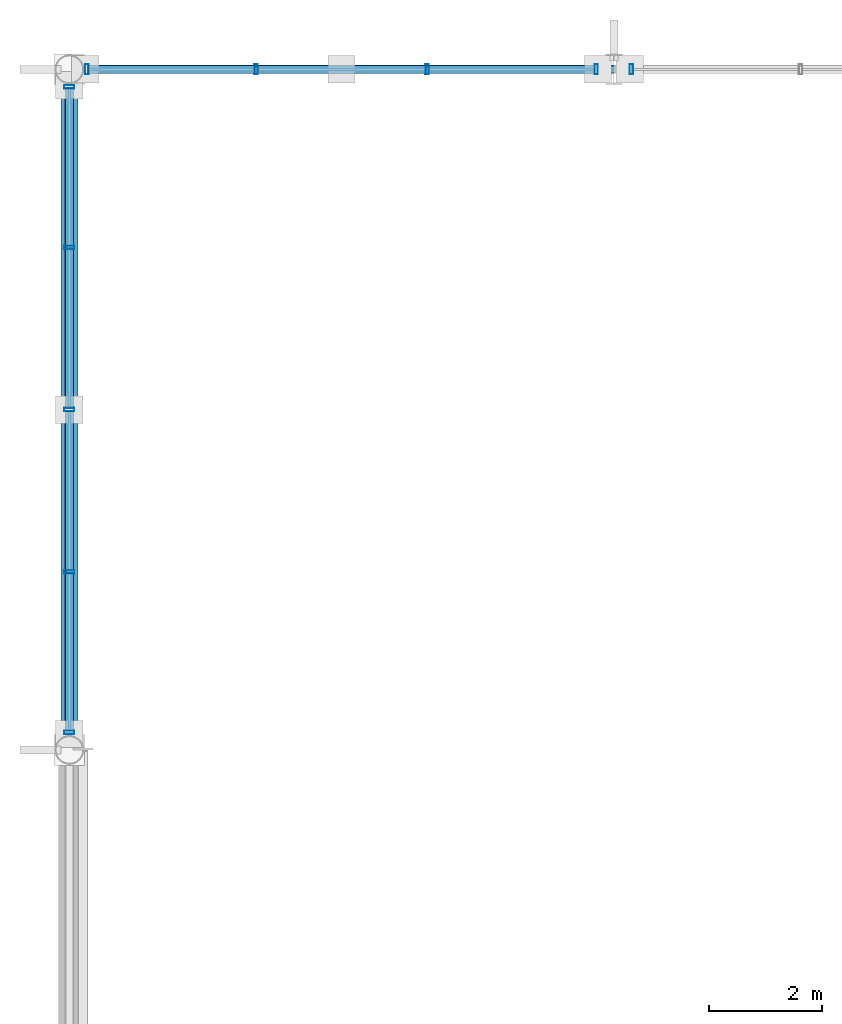
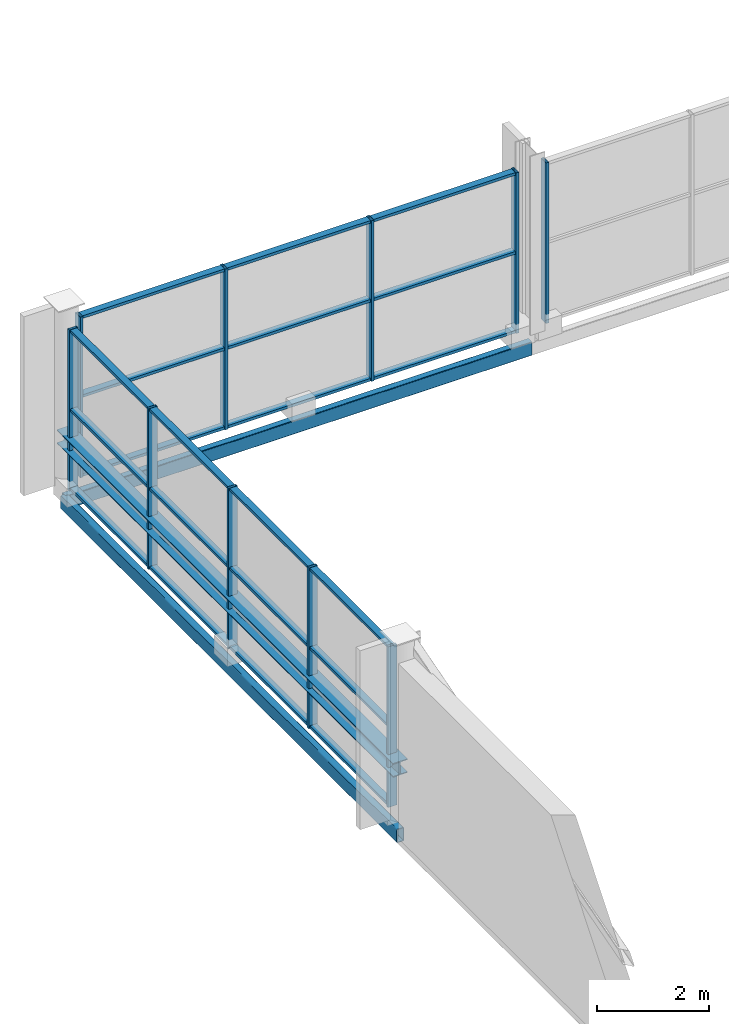
# One storey, part 56 of 117: 31 members, 3 beams, 3 elements without a shape of their own.
"""IFC4 building model written with IfcOpenShell, lengths in metres."""

from ifc_helpers import new_model, si_unit, direction, frame, origin, origin_2d, place, context, subcontext, project, spatial, hollow_rectangle, i_section, extrude, material, material_profile, profile_set, type_object, element, aggregate, save


model = new_model("IFC4")

# Units and contexts
model_context = context("Model", 3, precision=1e-05, world=origin(), true_north=direction((0.0, 1.0)))
body_context = subcontext(model_context, "Body", "Model", "MODEL_VIEW")
ifc_project = project(units=[si_unit("LENGTHUNIT", "METRE"), si_unit("AREAUNIT", "SQUARE_METRE"), si_unit("VOLUMEUNIT", "CUBIC_METRE"), si_unit("PLANEANGLEUNIT", "RADIAN"), si_unit("MASSUNIT", "GRAM", prefix="KILO")], contexts=[model_context])

# Site, building, storey
site_placement = place(None, origin())
site = spatial("IfcSite", under=ifc_project, at=site_placement, CompositionType="ELEMENT")
building_placement = place(site_placement, origin())
building = spatial("IfcBuilding", under=site, at=building_placement, Name="Merenkruunu Market Hall", CompositionType="ELEMENT")
storey_placement = place(building_placement, frame((0.0, 0.0, 10.199951171875)))
storey = spatial("IfcBuildingStorey", under=building, at=storey_placement, Name="L02", CompositionType="ELEMENT", Elevation=10.199951171875)

# Curtain wall, members
ifc_material_1 = material(Name="Powder-coated aluminium", Category="aluminium")
curtain_wall_type_1 = type_object("IfcCurtainWallType", Name="Glazed Curtain Wall CW13", PredefinedType="USERDEFINED", material=ifc_material_1)
curtain_wall_1_placement = place(storey_placement, origin())
curtain_wall_1 = element("IfcCurtainWall", 1, at=curtain_wall_1_placement, inside=storey, type_object=curtain_wall_type_1, Name="CW-L02-CWM02-018", ObjectType="GLAZED_FACADE", PredefinedType="USERDEFINED")
ifc_material_profile_1 = material_profile(ifc_material_1, hollow_rectangle(XDim=0.06005859375, YDim=0.179931640625, WallThickness=0.00390625, at=origin_2d()), Name="ALU 60x180x4")
ifc_profile_set_1 = profile_set([ifc_material_profile_1], Name="Powder-coated aluminium")
member_type_1 = type_object("IfcMemberType", Name="Curtain Wall Mullion CWM02", PredefinedType="MULLION", material=ifc_profile_set_1)
member_1_placement = place(storey_placement, frame((0.0, 99.909912109375, 0.0), z_axis=(0.0, 0.0, 1.0), x_axis=(0.0, 1.0, 0.0)))
member_1 = element("IfcMember", 2, at=member_1_placement, type_object=member_type_1, Name="CW13 mullion 1", PredefinedType="MULLION", context=body_context, shape_type="SweptSolid", body=[
    extrude(hollow_rectangle(XDim=0.06005859375, YDim=0.179931640625, WallThickness=0.00390625, at=origin_2d()), origin(), (0.0, 0.0, 1.0), 3.5),
])
member_2_placement = place(storey_placement, frame((0.0, 102.739990234375, 0.0), z_axis=(0.0, 0.0, 1.0), x_axis=(0.0, 1.0, 0.0)))
member_2 = element("IfcMember", 3, at=member_2_placement, type_object=member_type_1, Name="CW13 mullion 2", PredefinedType="MULLION", context=body_context, shape_type="SweptSolid", body=[
    extrude(hollow_rectangle(XDim=0.06005859375, YDim=0.179931640625, WallThickness=0.00390625, at=origin_2d()), origin(), (0.0, 0.0, 1.0), 3.5),
])
member_3_placement = place(storey_placement, frame((0.0, 105.60009765625, 0.0), z_axis=(0.0, 0.0, 1.0), x_axis=(0.0, 1.0, 0.0)))
member_3 = element("IfcMember", 4, at=member_3_placement, type_object=member_type_1, Name="CW13 mullion 3", PredefinedType="MULLION", context=body_context, shape_type="SweptSolid", body=[
    extrude(hollow_rectangle(XDim=0.06005859375, YDim=0.179931640625, WallThickness=0.00390625, at=origin_2d()), origin(), (0.0, 0.0, 1.0), 3.5),
])
member_4_placement = place(storey_placement, frame((0.0, 108.4599609375, 0.0), z_axis=(0.0, 0.0, 1.0), x_axis=(0.0, 1.0, 0.0)))
member_4 = element("IfcMember", 5, at=member_4_placement, type_object=member_type_1, Name="CW13 mullion 4", PredefinedType="MULLION", context=body_context, shape_type="SweptSolid", body=[
    extrude(hollow_rectangle(XDim=0.06005859375, YDim=0.179931640625, WallThickness=0.00390625, at=origin_2d()), origin(), (0.0, 0.0, 1.0), 3.5),
])
member_5_placement = place(storey_placement, frame((0.0, 111.2900390625, 0.0), z_axis=(0.0, 0.0, 1.0), x_axis=(0.0, 1.0, 0.0)))
member_5 = element("IfcMember", 6, at=member_5_placement, type_object=member_type_1, Name="CW13 mullion 5", PredefinedType="MULLION", context=body_context, shape_type="SweptSolid", body=[
    extrude(hollow_rectangle(XDim=0.06005859375, YDim=0.179931640625, WallThickness=0.00390625, at=origin_2d()), origin(), (0.0, 0.0, 1.0), 3.5),
])

curtain_wall_type_2 = type_object("IfcCurtainWallType", Name="Glazed Curtain Wall CW10", PredefinedType="USERDEFINED", material=ifc_material_1)
curtain_wall_2_placement = place(storey_placement, origin())
curtain_wall_2 = element("IfcCurtainWall", 7, at=curtain_wall_2_placement, inside=storey, type_object=curtain_wall_type_2, Name="CW-L02-CWM02-053", ObjectType="GLAZED_FACADE", PredefinedType="USERDEFINED")
member_6_placement = place(storey_placement, frame((0.31005859375, 111.60009765625, 0.0), z_axis=(0.0, 0.0, 1.0), x_axis=(1.0, 0.0, 0.0)))
member_6 = element("IfcMember", 8, at=member_6_placement, type_object=member_type_1, Name="CW10 mullion 1", PredefinedType="MULLION", context=body_context, shape_type="SweptSolid", body=[
    extrude(hollow_rectangle(XDim=0.06005859375, YDim=0.179931640625, WallThickness=0.00390625, at=origin_2d()), origin(), (0.0, 0.0, 1.0), 3.5),
])
member_7_placement = place(storey_placement, frame((3.293212890625, 111.60009765625, 0.0), z_axis=(0.0, 0.0, 1.0), x_axis=(1.0, 0.0, 0.0)))
member_7 = element("IfcMember", 9, at=member_7_placement, type_object=member_type_1, Name="CW10 mullion 2", PredefinedType="MULLION", context=body_context, shape_type="SweptSolid", body=[
    extrude(hollow_rectangle(XDim=0.06005859375, YDim=0.179931640625, WallThickness=0.00390625, at=origin_2d()), origin(), (0.0, 0.0, 1.0), 3.5),
])
member_8_placement = place(storey_placement, frame((6.306640625, 111.60009765625, 0.0), z_axis=(0.0, 0.0, 1.0), x_axis=(1.0, 0.0, 0.0)))
member_8 = element("IfcMember", 10, at=member_8_placement, type_object=member_type_1, Name="CW10 mullion 3", PredefinedType="MULLION", context=body_context, shape_type="SweptSolid", body=[
    extrude(hollow_rectangle(XDim=0.06005859375, YDim=0.179931640625, WallThickness=0.00390625, at=origin_2d()), origin(), (0.0, 0.0, 1.0), 3.5),
])
member_9_placement = place(storey_placement, frame((9.2900390625, 111.60009765625, 0.0), z_axis=(0.0, 0.0, 1.0), x_axis=(1.0, 0.0, 0.0)))
member_9 = element("IfcMember", 11, at=member_9_placement, type_object=member_type_1, Name="CW10 mullion 4", PredefinedType="MULLION", context=body_context, shape_type="SweptSolid", body=[
    extrude(hollow_rectangle(XDim=0.06005859375, YDim=0.179931640625, WallThickness=0.00390625, at=origin_2d()), origin(), (0.0, 0.0, 1.0), 3.5),
])

# Curtain wall, member
curtain_wall_3_placement = place(storey_placement, origin())
curtain_wall_3 = element("IfcCurtainWall", 12, at=curtain_wall_3_placement, inside=storey, type_object=curtain_wall_type_2, Name="CW-L02-CWM02-055", ObjectType="GLAZED_FACADE", PredefinedType="USERDEFINED")
member_10_placement = place(storey_placement, frame((9.909912109375, 111.60009765625, 0.0), z_axis=(0.0, 0.0, 1.0), x_axis=(1.0, 0.0, 0.0)))
member_10 = element("IfcMember", 13, at=member_10_placement, type_object=member_type_1, Name="CW10 mullion 1", PredefinedType="MULLION", context=body_context, shape_type="SweptSolid", body=[
    extrude(hollow_rectangle(XDim=0.06005859375, YDim=0.179931640625, WallThickness=0.00390625, at=origin_2d()), origin(), (0.0, 0.0, 1.0), 3.5),
])
aggregate(curtain_wall_3, [member_10])

# Member
ifc_material_profile_2 = material_profile(ifc_material_1, hollow_rectangle(XDim=0.06005859375, YDim=0.139892578125, WallThickness=0.00390625, at=origin_2d()), Name="ALU 60x140x4")
ifc_profile_set_2 = profile_set([ifc_material_profile_2], Name="Powder-coated aluminium")
member_type_2 = type_object("IfcMemberType", Name="Curtain Wall Transom CWT02", PredefinedType="USERDEFINED", material=ifc_profile_set_2)
member_11_placement = place(storey_placement, frame((0.0, 99.93994140625, 0.030029296875), z_axis=(0.0, 1.0, 0.0), x_axis=(0.0, 0.0, 1.0)))
member_11 = element("IfcMember", 14, at=member_11_placement, type_object=member_type_2, Name="CW13 transom 1.1", ObjectType="TRANSOM", PredefinedType="USERDEFINED", context=body_context, shape_type="SweptSolid", body=[
    extrude(hollow_rectangle(XDim=0.06005859375, YDim=0.139892578125, WallThickness=0.00390625, at=origin_2d()), origin(), (0.0, 0.0, 1.0), 2.77001953125),
])

member_12_placement = place(storey_placement, frame((0.0, 99.93994140625, 1.75), z_axis=(0.0, 1.0, 0.0), x_axis=(0.0, 0.0, 1.0)))
member_12 = element("IfcMember", 15, at=member_12_placement, type_object=member_type_2, Name="CW13 transom 1.2", ObjectType="TRANSOM", PredefinedType="USERDEFINED", context=body_context, shape_type="SweptSolid", body=[
    extrude(hollow_rectangle(XDim=0.06005859375, YDim=0.139892578125, WallThickness=0.00390625, at=origin_2d()), origin(), (0.0, 0.0, 1.0), 2.77001953125),
])

member_13_placement = place(storey_placement, frame((0.0, 99.93994140625, 3.469970703125), z_axis=(0.0, 1.0, 0.0), x_axis=(0.0, 0.0, 1.0)))
member_13 = element("IfcMember", 16, at=member_13_placement, type_object=member_type_2, Name="CW13 transom 1.3", ObjectType="TRANSOM", PredefinedType="USERDEFINED", context=body_context, shape_type="SweptSolid", body=[
    extrude(hollow_rectangle(XDim=0.06005859375, YDim=0.139892578125, WallThickness=0.00390625, at=origin_2d()), origin(), (0.0, 0.0, 1.0), 2.77001953125),
])

member_14_placement = place(storey_placement, frame((0.0, 102.77001953125, 0.030029296875), z_axis=(0.0, 1.0, 0.0), x_axis=(0.0, 0.0, 1.0)))
member_14 = element("IfcMember", 17, at=member_14_placement, type_object=member_type_2, Name="CW13 transom 2.1", ObjectType="TRANSOM", PredefinedType="USERDEFINED", context=body_context, shape_type="SweptSolid", body=[
    extrude(hollow_rectangle(XDim=0.06005859375, YDim=0.139892578125, WallThickness=0.00390625, at=origin_2d()), origin(), (0.0, 0.0, 1.0), 2.800048828125),
])

member_15_placement = place(storey_placement, frame((0.0, 102.77001953125, 1.75), z_axis=(0.0, 1.0, 0.0), x_axis=(0.0, 0.0, 1.0)))
member_15 = element("IfcMember", 18, at=member_15_placement, type_object=member_type_2, Name="CW13 transom 2.2", ObjectType="TRANSOM", PredefinedType="USERDEFINED", context=body_context, shape_type="SweptSolid", body=[
    extrude(hollow_rectangle(XDim=0.06005859375, YDim=0.139892578125, WallThickness=0.00390625, at=origin_2d()), origin(), (0.0, 0.0, 1.0), 2.800048828125),
])

member_16_placement = place(storey_placement, frame((0.0, 102.77001953125, 3.469970703125), z_axis=(0.0, 1.0, 0.0), x_axis=(0.0, 0.0, 1.0)))
member_16 = element("IfcMember", 19, at=member_16_placement, type_object=member_type_2, Name="CW13 transom 2.3", ObjectType="TRANSOM", PredefinedType="USERDEFINED", context=body_context, shape_type="SweptSolid", body=[
    extrude(hollow_rectangle(XDim=0.06005859375, YDim=0.139892578125, WallThickness=0.00390625, at=origin_2d()), origin(), (0.0, 0.0, 1.0), 2.800048828125),
])

member_17_placement = place(storey_placement, frame((0.0, 105.6298828125, 0.030029296875), z_axis=(0.0, 1.0, 0.0), x_axis=(0.0, 0.0, 1.0)))
member_17 = element("IfcMember", 20, at=member_17_placement, type_object=member_type_2, Name="CW13 transom 3.1", ObjectType="TRANSOM", PredefinedType="USERDEFINED", context=body_context, shape_type="SweptSolid", body=[
    extrude(hollow_rectangle(XDim=0.06005859375, YDim=0.139892578125, WallThickness=0.00390625, at=origin_2d()), origin(), (0.0, 0.0, 1.0), 2.800048828125),
])

member_18_placement = place(storey_placement, frame((0.0, 105.6298828125, 1.75), z_axis=(0.0, 1.0, 0.0), x_axis=(0.0, 0.0, 1.0)))
member_18 = element("IfcMember", 21, at=member_18_placement, type_object=member_type_2, Name="CW13 transom 3.2", ObjectType="TRANSOM", PredefinedType="USERDEFINED", context=body_context, shape_type="SweptSolid", body=[
    extrude(hollow_rectangle(XDim=0.06005859375, YDim=0.139892578125, WallThickness=0.00390625, at=origin_2d()), origin(), (0.0, 0.0, 1.0), 2.800048828125),
])

member_19_placement = place(storey_placement, frame((0.0, 105.6298828125, 3.469970703125), z_axis=(0.0, 1.0, 0.0), x_axis=(0.0, 0.0, 1.0)))
member_19 = element("IfcMember", 22, at=member_19_placement, type_object=member_type_2, Name="CW13 transom 3.3", ObjectType="TRANSOM", PredefinedType="USERDEFINED", context=body_context, shape_type="SweptSolid", body=[
    extrude(hollow_rectangle(XDim=0.06005859375, YDim=0.139892578125, WallThickness=0.00390625, at=origin_2d()), origin(), (0.0, 0.0, 1.0), 2.800048828125),
])

member_20_placement = place(storey_placement, frame((0.0, 108.489990234375, 0.030029296875), z_axis=(0.0, 1.0, 0.0), x_axis=(0.0, 0.0, 1.0)))
member_20 = element("IfcMember", 23, at=member_20_placement, type_object=member_type_2, Name="CW13 transom 4.1", ObjectType="TRANSOM", PredefinedType="USERDEFINED", context=body_context, shape_type="SweptSolid", body=[
    extrude(hollow_rectangle(XDim=0.06005859375, YDim=0.139892578125, WallThickness=0.00390625, at=origin_2d()), origin(), (0.0, 0.0, 1.0), 2.77001953125),
])

member_21_placement = place(storey_placement, frame((0.0, 108.489990234375, 1.75), z_axis=(0.0, 1.0, 0.0), x_axis=(0.0, 0.0, 1.0)))
member_21 = element("IfcMember", 24, at=member_21_placement, type_object=member_type_2, Name="CW13 transom 4.2", ObjectType="TRANSOM", PredefinedType="USERDEFINED", context=body_context, shape_type="SweptSolid", body=[
    extrude(hollow_rectangle(XDim=0.06005859375, YDim=0.139892578125, WallThickness=0.00390625, at=origin_2d()), origin(), (0.0, 0.0, 1.0), 2.77001953125),
])

member_22_placement = place(storey_placement, frame((0.0, 108.489990234375, 3.469970703125), z_axis=(0.0, 1.0, 0.0), x_axis=(0.0, 0.0, 1.0)))
member_22 = element("IfcMember", 25, at=member_22_placement, type_object=member_type_2, Name="CW13 transom 4.3", ObjectType="TRANSOM", PredefinedType="USERDEFINED", context=body_context, shape_type="SweptSolid", body=[
    extrude(hollow_rectangle(XDim=0.06005859375, YDim=0.139892578125, WallThickness=0.00390625, at=origin_2d()), origin(), (0.0, 0.0, 1.0), 2.77001953125),
])

aggregate(curtain_wall_1, [member_1, member_2, member_3, member_4, member_5, member_11, member_12, member_13, member_14, member_15, member_16, member_17, member_18, member_19, member_20, member_21, member_22])

member_23_placement = place(storey_placement, frame((0.340087890625, 111.60009765625, 0.030029296875), z_axis=(1.0, 0.0, 0.0), x_axis=(0.0, 0.0, 1.0)))
member_23 = element("IfcMember", 26, at=member_23_placement, type_object=member_type_2, Name="CW10 transom 1.1", ObjectType="TRANSOM", PredefinedType="USERDEFINED", context=body_context, shape_type="SweptSolid", body=[
    extrude(hollow_rectangle(XDim=0.06005859375, YDim=0.139892578125, WallThickness=0.00390625, at=origin_2d()), origin(), (0.0, 0.0, 1.0), 2.92333984375),
])

member_24_placement = place(storey_placement, frame((0.340087890625, 111.60009765625, 1.75), z_axis=(1.0, 0.0, 0.0), x_axis=(0.0, 0.0, 1.0)))
member_24 = element("IfcMember", 27, at=member_24_placement, type_object=member_type_2, Name="CW10 transom 1.2", ObjectType="TRANSOM", PredefinedType="USERDEFINED", context=body_context, shape_type="SweptSolid", body=[
    extrude(hollow_rectangle(XDim=0.06005859375, YDim=0.139892578125, WallThickness=0.00390625, at=origin_2d()), origin(), (0.0, 0.0, 1.0), 2.92333984375),
])

member_25_placement = place(storey_placement, frame((0.340087890625, 111.60009765625, 3.469970703125), z_axis=(1.0, 0.0, 0.0), x_axis=(0.0, 0.0, 1.0)))
member_25 = element("IfcMember", 28, at=member_25_placement, type_object=member_type_2, Name="CW10 transom 1.3", ObjectType="TRANSOM", PredefinedType="USERDEFINED", context=body_context, shape_type="SweptSolid", body=[
    extrude(hollow_rectangle(XDim=0.06005859375, YDim=0.139892578125, WallThickness=0.00390625, at=origin_2d()), origin(), (0.0, 0.0, 1.0), 2.92333984375),
])

member_26_placement = place(storey_placement, frame((3.3232421875, 111.60009765625, 0.030029296875), z_axis=(1.0, 0.0, 0.0), x_axis=(0.0, 0.0, 1.0)))
member_26 = element("IfcMember", 29, at=member_26_placement, type_object=member_type_2, Name="CW10 transom 2.1", ObjectType="TRANSOM", PredefinedType="USERDEFINED", context=body_context, shape_type="SweptSolid", body=[
    extrude(hollow_rectangle(XDim=0.06005859375, YDim=0.139892578125, WallThickness=0.00390625, at=origin_2d()), origin(), (0.0, 0.0, 1.0), 2.953369140625),
])

member_27_placement = place(storey_placement, frame((3.3232421875, 111.60009765625, 1.75), z_axis=(1.0, 0.0, 0.0), x_axis=(0.0, 0.0, 1.0)))
member_27 = element("IfcMember", 30, at=member_27_placement, type_object=member_type_2, Name="CW10 transom 2.2", ObjectType="TRANSOM", PredefinedType="USERDEFINED", context=body_context, shape_type="SweptSolid", body=[
    extrude(hollow_rectangle(XDim=0.06005859375, YDim=0.139892578125, WallThickness=0.00390625, at=origin_2d()), origin(), (0.0, 0.0, 1.0), 2.953369140625),
])

member_28_placement = place(storey_placement, frame((3.3232421875, 111.60009765625, 3.469970703125), z_axis=(1.0, 0.0, 0.0), x_axis=(0.0, 0.0, 1.0)))
member_28 = element("IfcMember", 31, at=member_28_placement, type_object=member_type_2, Name="CW10 transom 2.3", ObjectType="TRANSOM", PredefinedType="USERDEFINED", context=body_context, shape_type="SweptSolid", body=[
    extrude(hollow_rectangle(XDim=0.06005859375, YDim=0.139892578125, WallThickness=0.00390625, at=origin_2d()), origin(), (0.0, 0.0, 1.0), 2.953369140625),
])

member_29_placement = place(storey_placement, frame((6.336669921875, 111.60009765625, 0.030029296875), z_axis=(1.0, 0.0, 0.0), x_axis=(0.0, 0.0, 1.0)))
member_29 = element("IfcMember", 32, at=member_29_placement, type_object=member_type_2, Name="CW10 transom 3.1", ObjectType="TRANSOM", PredefinedType="USERDEFINED", context=body_context, shape_type="SweptSolid", body=[
    extrude(hollow_rectangle(XDim=0.06005859375, YDim=0.139892578125, WallThickness=0.00390625, at=origin_2d()), origin(), (0.0, 0.0, 1.0), 2.92333984375),
])

member_30_placement = place(storey_placement, frame((6.336669921875, 111.60009765625, 1.75), z_axis=(1.0, 0.0, 0.0), x_axis=(0.0, 0.0, 1.0)))
member_30 = element("IfcMember", 33, at=member_30_placement, type_object=member_type_2, Name="CW10 transom 3.2", ObjectType="TRANSOM", PredefinedType="USERDEFINED", context=body_context, shape_type="SweptSolid", body=[
    extrude(hollow_rectangle(XDim=0.06005859375, YDim=0.139892578125, WallThickness=0.00390625, at=origin_2d()), origin(), (0.0, 0.0, 1.0), 2.92333984375),
])

member_31_placement = place(storey_placement, frame((6.336669921875, 111.60009765625, 3.469970703125), z_axis=(1.0, 0.0, 0.0), x_axis=(0.0, 0.0, 1.0)))
member_31 = element("IfcMember", 34, at=member_31_placement, type_object=member_type_2, Name="CW10 transom 3.3", ObjectType="TRANSOM", PredefinedType="USERDEFINED", context=body_context, shape_type="SweptSolid", body=[
    extrude(hollow_rectangle(XDim=0.06005859375, YDim=0.139892578125, WallThickness=0.00390625, at=origin_2d()), origin(), (0.0, 0.0, 1.0), 2.92333984375),
])

aggregate(curtain_wall_2, [member_6, member_7, member_8, member_9, member_23, member_24, member_25, member_26, member_27, member_28, member_29, member_30, member_31])

# Beams
ifc_material_2 = material(Name="Steel S355J2", Category="steel")
ifc_material_profile_3 = material_profile(ifc_material_2, hollow_rectangle(XDim=0.14990234375, YDim=0.300048828125, WallThickness=0.012451171875, InnerFilletRadius=0.012451171875, OuterFilletRadius=0.02490234375, at=origin_2d()), Name="RHS 300x150x12.5")
ifc_profile_set_3 = profile_set([ifc_material_profile_3], Name="Steel S355J2")
beam_type_1 = type_object("IfcBeamType", Name="Perimeter Spandrel Beam SP03", PredefinedType="SPANDREL", material=ifc_profile_set_3)
beam_1_placement = place(storey_placement, frame((0.0, 99.60009765625, -0.4599609375), z_axis=(0.0, 1.0, 0.0), x_axis=(-1.0, 0.0, 0.0)))
element("IfcBeam", 35, at=beam_1_placement, inside=storey, type_object=beam_type_1, Name="BM-L02-SP03-1234", PredefinedType="SPANDREL", context=body_context, shape_type="SweptSolid", body=[
    extrude(hollow_rectangle(XDim=0.14990234375, YDim=0.300048828125, WallThickness=0.012451171875, InnerFilletRadius=0.012451171875, OuterFilletRadius=0.02490234375, at=origin_2d()), origin(), (0.0, 0.0, 1.0), 12.0),
])
beam_2_placement = place(storey_placement, frame((0.0, 111.60009765625, -0.4599609375), z_axis=(1.0, 0.0, 0.0), x_axis=(0.0, 1.0, 0.0)))
element("IfcBeam", 36, at=beam_2_placement, inside=storey, type_object=beam_type_1, Name="BM-L02-SP03-1237", PredefinedType="SPANDREL", context=body_context, shape_type="SweptSolid", body=[
    extrude(hollow_rectangle(XDim=0.14990234375, YDim=0.300048828125, WallThickness=0.012451171875, InnerFilletRadius=0.012451171875, OuterFilletRadius=0.02490234375, at=origin_2d()), origin(), (0.0, 0.0, 1.0), 9.60009765625),
])
ifc_material_profile_4 = material_profile(ifc_material_2, i_section(OverallWidth=0.300048828125, OverallDepth=0.300048828125, WebThickness=0.010986328125, FlangeThickness=0.01904296875, FilletRadius=0.027099609375, at=origin_2d()), Name="HEB 300")
ifc_profile_set_4 = profile_set([ifc_material_profile_4], Name="Steel S355J2")
beam_type_2 = type_object("IfcBeamType", Name="Primary Floor Girder B05", PredefinedType="BEAM", material=ifc_profile_set_4)
beam_3_placement = place(storey_placement, frame((0.0, 99.60009765625, 1.0), z_axis=(0.0, 1.0, 0.0), x_axis=(-1.0, 0.0, 0.0)))
element("IfcBeam", 37, at=beam_3_placement, inside=storey, type_object=beam_type_2, Name="BM-L02-B05-1334", PredefinedType="BEAM", context=body_context, shape_type="SweptSolid", body=[
    extrude(i_section(OverallWidth=0.300048828125, OverallDepth=0.300048828125, WebThickness=0.010986328125, FlangeThickness=0.01904296875, FilletRadius=0.027099609375, at=origin_2d()), origin(), (0.0, 0.0, 1.0), 12.0),
])

save(model, "model.ifc")
